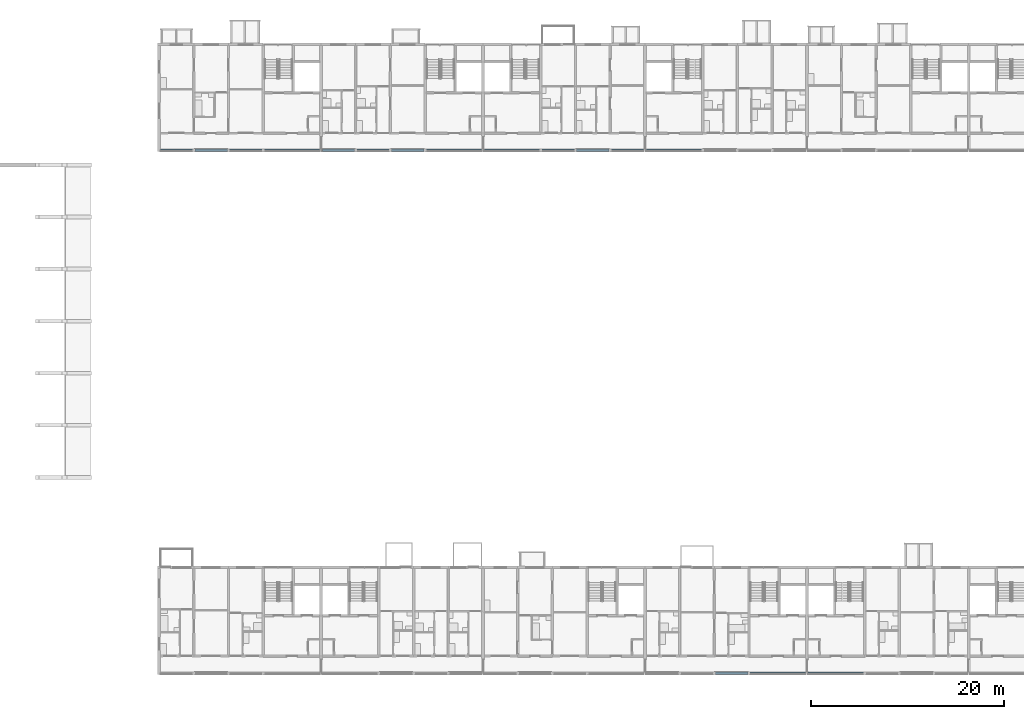
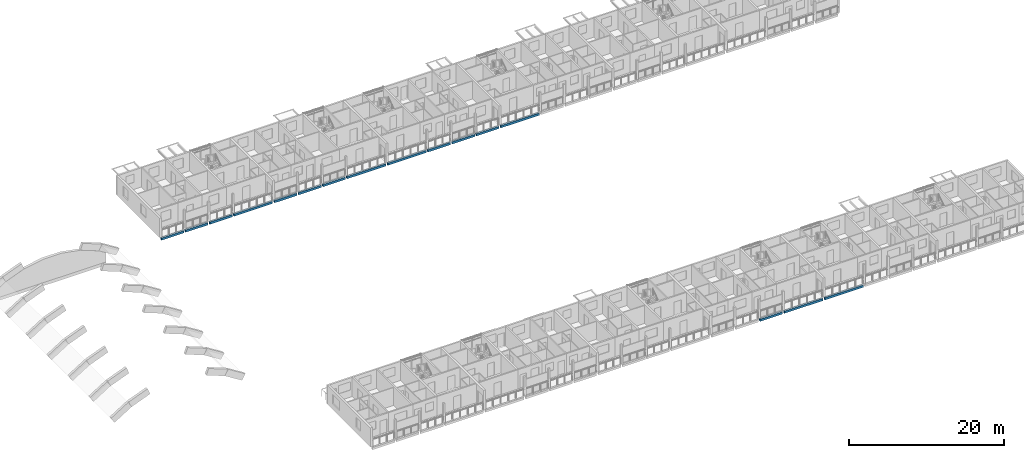
# One storey, part 14 of 99: 16 beams.
"""IFC4 building model written with IfcOpenShell, lengths in metres."""

from ifc_helpers import new_model, si_unit, direction, frame, origin, origin_2d, place, context, subcontext, project, spatial, rectangle, extrude, material, material_profile, profile_set, type_object, element, save


model = new_model("IFC4")

# Units and contexts
model_context = context("Model", 3, precision=1e-05, world=origin(), true_north=direction((0.0, 1.0)))
body_context = subcontext(model_context, "Body", "Model", "MODEL_VIEW")
ifc_project = project(units=[si_unit("LENGTHUNIT", "METRE"), si_unit("AREAUNIT", "SQUARE_METRE"), si_unit("VOLUMEUNIT", "CUBIC_METRE"), si_unit("PLANEANGLEUNIT", "RADIAN"), si_unit("MASSUNIT", "GRAM", prefix="KILO")], contexts=[model_context])

# Site, building, storey
site_placement = place(None, origin())
site = spatial("IfcSite", under=ifc_project, at=site_placement, CompositionType="ELEMENT")
building_placement = place(site_placement, origin())
building = spatial("IfcBuilding", under=site, at=building_placement, Name="Ridgestep Commons", CompositionType="ELEMENT")
storey_placement = place(building_placement, frame((0.0, 0.0, 15.0)))
storey = spatial("IfcBuildingStorey", under=building, at=storey_placement, Name="L05", CompositionType="ELEMENT", Elevation=15.0)

# Beams
ifc_material = material(Name="Precast concrete C40/50", Category="concrete")
ifc_material_profile = material_profile(ifc_material, rectangle(XDim=0.25, YDim=0.35009765625, at=origin_2d()), Name="PC 250x350")
ifc_profile_set = profile_set([ifc_material_profile], Name="Precast concrete C40/50")
beam_type = type_object("IfcBeamType", Name="Loggia edge beam 250 x 350", PredefinedType="SPANDREL", material=ifc_profile_set)
beam_1_placement = place(storey_placement, frame((146.949951171875, 66.125, -0.375), z_axis=(1.0, 0.0, 0.0), x_axis=(0.0, 1.0, 0.0)))
element("IfcBeam", 1, at=beam_1_placement, inside=storey, type_object=beam_type, Name="Loggia edge beam C1T1 L05", PredefinedType="SPANDREL", context=body_context, shape_type="SweptSolid", body=[
    extrude(rectangle(XDim=0.25, YDim=0.35009765625, at=origin_2d()), origin(), (0.0, 0.0, 1.0), 3.324951171875),
])
for number, where, z_axis, x_axis, name in (
    (2, (150.52490234375, 66.125, -0.375), (1.0, 0.0, 0.0), (0.0, 1.0, 0.0), "Loggia edge beam C1T2 L05"),
    (3, (154.125, 66.125, -0.375), (1.0, 0.0, 0.0), (0.0, 1.0, 0.0), "Loggia edge beam C1T3 L05"),
):
    element("IfcBeam", number, at=place(storey_placement, frame(where, z_axis=z_axis, x_axis=x_axis)), inside=storey, type_object=beam_type, Name=name, PredefinedType="SPANDREL", context=body_context, shape_type="SweptSolid", body=[
        extrude(rectangle(XDim=0.25, YDim=0.35009765625, at=origin_2d()), origin(), (0.0, 0.0, 1.0), 3.35009765625),
    ])
beam_2_placement = place(storey_placement, frame((157.72509765625, 66.125, -0.375), z_axis=(1.0, 0.0, 0.0), x_axis=(0.0, 1.0, 0.0)))
element("IfcBeam", 4, at=beam_2_placement, inside=storey, type_object=beam_type, Name="Loggia edge beam C1C L05", PredefinedType="SPANDREL", context=body_context, shape_type="SweptSolid", body=[
    extrude(rectangle(XDim=0.25, YDim=0.35009765625, at=origin_2d()), origin(), (0.0, 0.0, 1.0), 5.724853515625),
])
beam_3_placement = place(storey_placement, frame((163.75, 66.125, -0.375), z_axis=(1.0, 0.0, 0.0), x_axis=(0.0, 1.0, 0.0)))
element("IfcBeam", 5, at=beam_3_placement, inside=storey, type_object=beam_type, Name="Loggia edge beam C2T1 L05", PredefinedType="SPANDREL", context=body_context, shape_type="SweptSolid", body=[
    extrude(rectangle(XDim=0.25, YDim=0.35009765625, at=origin_2d()), origin(), (0.0, 0.0, 1.0), 3.324951171875),
])
beam_4_placement = place(storey_placement, frame((167.324951171875, 66.125, -0.375), z_axis=(1.0, 0.0, 0.0), x_axis=(0.0, 1.0, 0.0)))
element("IfcBeam", 6, at=beam_4_placement, inside=storey, type_object=beam_type, Name="Loggia edge beam C2T2 L05", PredefinedType="SPANDREL", context=body_context, shape_type="SweptSolid", body=[
    extrude(rectangle(XDim=0.25, YDim=0.35009765625, at=origin_2d()), origin(), (0.0, 0.0, 1.0), 3.35009765625),
])
beam_5_placement = place(storey_placement, frame((170.925048828125, 66.125, -0.375), z_axis=(1.0, 0.0, 0.0), x_axis=(0.0, 1.0, 0.0)))
element("IfcBeam", 7, at=beam_5_placement, inside=storey, type_object=beam_type, Name="Loggia edge beam C2T3 L05", PredefinedType="SPANDREL", context=body_context, shape_type="SweptSolid", body=[
    extrude(rectangle(XDim=0.25, YDim=0.35009765625, at=origin_2d()), origin(), (0.0, 0.0, 1.0), 3.349853515625),
])
beam_6_placement = place(storey_placement, frame((174.52490234375, 66.125, -0.375), z_axis=(1.0, 0.0, 0.0), x_axis=(0.0, 1.0, 0.0)))
element("IfcBeam", 8, at=beam_6_placement, inside=storey, type_object=beam_type, Name="Loggia edge beam C2C L05", PredefinedType="SPANDREL", context=body_context, shape_type="SweptSolid", body=[
    extrude(rectangle(XDim=0.25, YDim=0.35009765625, at=origin_2d()), origin(), (0.0, 0.0, 1.0), 5.72509765625),
])
beam_7_placement = place(storey_placement, frame((180.550048828125, 66.125, -0.375), z_axis=(1.0, 0.0, 0.0), x_axis=(0.0, 1.0, 0.0)))
element("IfcBeam", 9, at=beam_7_placement, inside=storey, type_object=beam_type, Name="Loggia edge beam C3C L05", PredefinedType="SPANDREL", context=body_context, shape_type="SweptSolid", body=[
    extrude(rectangle(XDim=0.25, YDim=0.35009765625, at=origin_2d()), origin(), (0.0, 0.0, 1.0), 5.724853515625),
])
for number, where, z_axis, x_axis, name in (
    (10, (186.52490234375, 66.125, -0.375), (1.0, 0.0, 0.0), (0.0, 1.0, 0.0), "Loggia edge beam C3T3 L05"),
    (11, (190.125, 66.125, -0.375), (1.0, 0.0, 0.0), (0.0, 1.0, 0.0), "Loggia edge beam C3T2 L05"),
):
    element("IfcBeam", number, at=place(storey_placement, frame(where, z_axis=z_axis, x_axis=x_axis)), inside=storey, type_object=beam_type, Name=name, PredefinedType="SPANDREL", context=body_context, shape_type="SweptSolid", body=[
        extrude(rectangle(XDim=0.25, YDim=0.35009765625, at=origin_2d()), origin(), (0.0, 0.0, 1.0), 3.35009765625),
    ])
beam_8_placement = place(storey_placement, frame((193.72509765625, 66.125, -0.375), z_axis=(1.0, 0.0, 0.0), x_axis=(0.0, 1.0, 0.0)))
element("IfcBeam", 12, at=beam_8_placement, inside=storey, type_object=beam_type, Name="Loggia edge beam C3T1 L05", PredefinedType="SPANDREL", context=body_context, shape_type="SweptSolid", body=[
    extrude(rectangle(XDim=0.25, YDim=0.35009765625, at=origin_2d()), origin(), (0.0, 0.0, 1.0), 3.324951171875),
])
beam_9_placement = place(storey_placement, frame((197.35009765625, 66.125, -0.375), z_axis=(1.0, 0.0, 0.0), x_axis=(0.0, 1.0, 0.0)))
element("IfcBeam", 13, at=beam_9_placement, inside=storey, type_object=beam_type, Name="Loggia edge beam C4C L05", PredefinedType="SPANDREL", context=body_context, shape_type="SweptSolid", body=[
    extrude(rectangle(XDim=0.25, YDim=0.35009765625, at=origin_2d()), origin(), (0.0, 0.0, 1.0), 5.724853515625),
])
beam_10_placement = place(storey_placement, frame((204.52490234375, 11.875, -0.375), z_axis=(1.0, 0.0, 0.0), x_axis=(0.0, 1.0, 0.0)))
element("IfcBeam", 14, at=beam_10_placement, inside=storey, type_object=beam_type, Name="Loggia edge beam D4T3 L05", PredefinedType="SPANDREL", context=body_context, shape_type="SweptSolid", body=[
    extrude(rectangle(XDim=0.25, YDim=0.35009765625, at=origin_2d()), origin(), (0.0, 0.0, 1.0), 3.35009765625),
])
for number, where, z_axis, x_axis, name in (
    (15, (208.125, 11.875, -0.375), (1.0, 0.0, 0.0), (0.0, 1.0, 0.0), "Loggia edge beam D4C L05"),
    (16, (214.14990234375, 11.875, -0.375), (1.0, 0.0, 0.0), (0.0, 1.0, 0.0), "Loggia edge beam D5C L05"),
):
    element("IfcBeam", number, at=place(storey_placement, frame(where, z_axis=z_axis, x_axis=x_axis)), inside=storey, type_object=beam_type, Name=name, PredefinedType="SPANDREL", context=body_context, shape_type="SweptSolid", body=[
        extrude(rectangle(XDim=0.25, YDim=0.35009765625, at=origin_2d()), origin(), (0.0, 0.0, 1.0), 5.72509765625),
    ])

save(model, "model.ifc")
